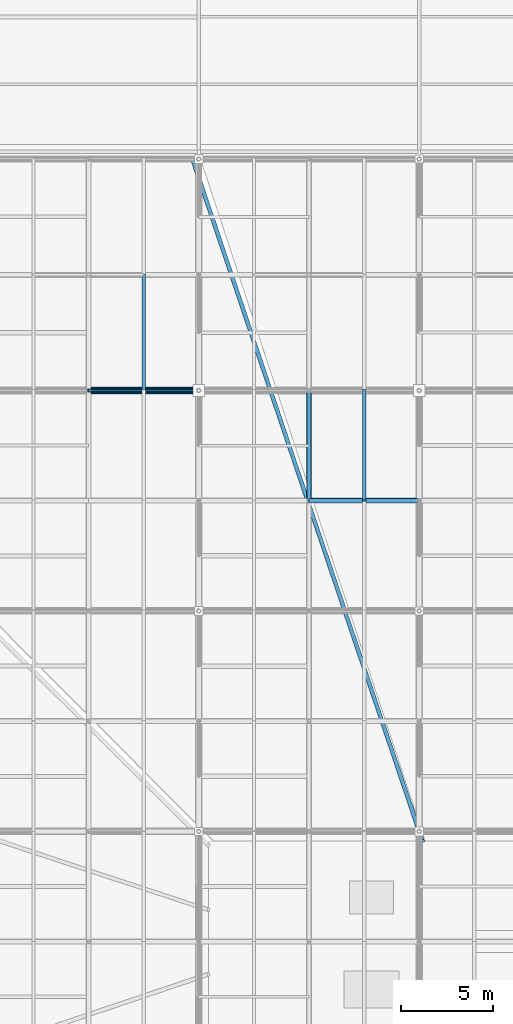
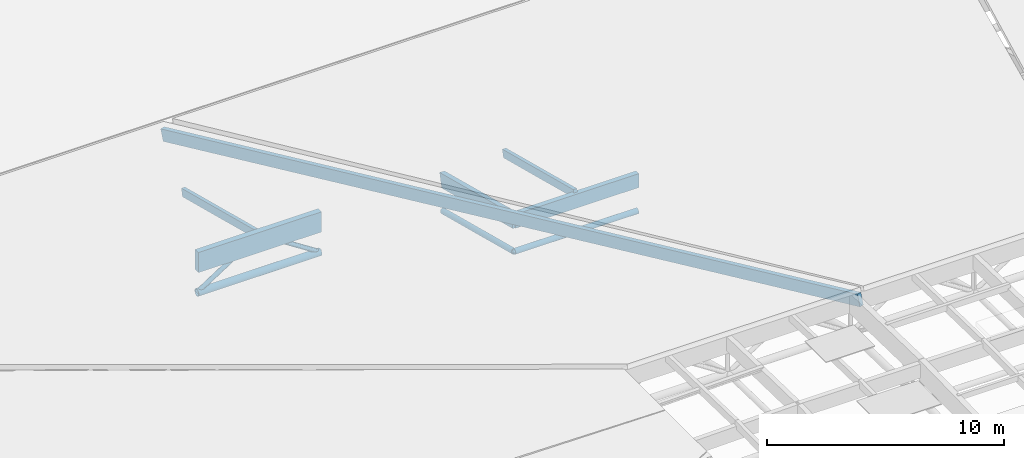
# One storey, part 54 of 80: 11 members.
"""IFC4 building model written with IfcOpenShell, lengths in metres."""

from ifc_helpers import new_model, si_unit, direction, frame, origin, origin_2d, place, context, subcontext, project, spatial, rectangle, hollow_circle, extrude, material, material_profile, profile_set, type_object, element, save


model = new_model("IFC4")

# Units and contexts
model_context = context("Model", 3, precision=1e-05, world=origin(), true_north=direction((0.0, 1.0)))
body_context = subcontext(model_context, "Body", "Model", "MODEL_VIEW")
ifc_project = project(units=[si_unit("LENGTHUNIT", "METRE"), si_unit("AREAUNIT", "SQUARE_METRE"), si_unit("VOLUMEUNIT", "CUBIC_METRE"), si_unit("PLANEANGLEUNIT", "RADIAN"), si_unit("MASSUNIT", "GRAM", prefix="KILO"), si_unit("THERMODYNAMICTEMPERATUREUNIT", "KELVIN"), si_unit("POWERUNIT", "WATT")], contexts=[model_context])

# Site, building, storey
site_placement = place(None, origin())
site = spatial("IfcSite", under=ifc_project, at=site_placement, CompositionType="ELEMENT")
building_placement = place(site_placement, origin())
building = spatial("IfcBuilding", under=site, at=building_placement, Name="Solmara Park Aquatics Centre", CompositionType="ELEMENT")
storey_placement = place(building_placement, frame((0.0, 0.0, 22.800048828125)))
storey = spatial("IfcBuildingStorey", under=building, at=storey_placement, Name="RF", CompositionType="ELEMENT", Elevation=22.800048828125)

# Members
ifc_material_1 = material(Name="Structural Steel S355", Category="steel")
ifc_material_profile_1 = material_profile(ifc_material_1, hollow_circle(Radius=0.109619140625, WallThickness=0.010009765625, at=origin_2d()), Name="CHS 219.1x10")
ifc_profile_set_1 = profile_set([ifc_material_profile_1], Name="Structural Steel S355")
member_type_1 = type_object("IfcMemberType", Name="STR-BRC-CHS219", PredefinedType="BRACE", material=ifc_profile_set_1)
for number, where, z_axis, x_axis, name in (
    (1, (30.60009765625, 72.60009765625, -11.141357421875), (0.83972779743, 0.0, 0.543007574738), (0.0, 1.0, 0.0), "Roof Truss Web Diagonal X 1499"),
    (2, (36.60009765625, 72.60009765625, -11.141357421875), (-0.83972779743, 0.0, 0.543007574738), (0.0, -1.0, 0.0), "Roof Truss Web Diagonal X 1500"),
):
    element("IfcMember", number, at=place(storey_placement, frame(where, z_axis=z_axis, x_axis=x_axis)), inside=storey, type_object=member_type_1, Name=name, PredefinedType="BRACE", context=body_context, shape_type="SweptSolid", body=[
        extrude(hollow_circle(Radius=0.109619140625, WallThickness=0.010009765625, at=origin_2d()), origin(), (0.0, 0.0, 1.0), 3.572509765625),
    ])
ifc_material_profile_2 = material_profile(ifc_material_1, hollow_circle(Radius=0.136474609375, WallThickness=0.012451171875, at=origin_2d()), Name="CHS 273x12.5")
ifc_profile_set_2 = profile_set([ifc_material_profile_2], Name="Structural Steel S355")
member_type_2 = type_object("IfcMemberType", Name="STR-CHD-CHS273", PredefinedType="CHORD", material=ifc_profile_set_2)
member_1_placement = place(storey_placement, frame((42.60009765625, 66.60009765625, -9.58984375), z_axis=(1.0, 0.0, 0.0), x_axis=(0.0, 1.0, 0.0)))
element("IfcMember", 3, at=member_1_placement, inside=storey, type_object=member_type_2, Name="Steel Roof Truss Bottom Chord X 0412", PredefinedType="CHORD", context=body_context, shape_type="SweptSolid", body=[
    extrude(hollow_circle(Radius=0.136474609375, WallThickness=0.012451171875, at=origin_2d()), origin(), (0.0, 0.0, 1.0), 6.0),
])
member_2_placement = place(storey_placement, frame((42.60009765625, 66.60009765625, -9.58984375), z_axis=(0.0, 0.968155143395, -0.250350990246), x_axis=(-1.0, 0.0, 0.0)))
element("IfcMember", 4, at=member_2_placement, inside=storey, type_object=member_type_2, Name="Steel Roof Truss Bottom Chord Y 0760", PredefinedType="CHORD", context=body_context, shape_type="SweptSolid", body=[
    extrude(hollow_circle(Radius=0.136474609375, WallThickness=0.012451171875, at=origin_2d()), origin(), (0.0, 0.0, 1.0), 6.197265625),
])
ifc_material_profile_3 = material_profile(ifc_material_1, hollow_circle(Radius=0.177734375, WallThickness=0.01611328125, at=origin_2d()), Name="CHS 355.6x16")
ifc_profile_set_3 = profile_set([ifc_material_profile_3], Name="Structural Steel S355")
member_type_3 = type_object("IfcMemberType", Name="STR-CHD-CHS355", PredefinedType="CHORD", material=ifc_profile_set_3)
member_3_placement = place(storey_placement, frame((30.60009765625, 72.60009765625, -11.141357421875), z_axis=(1.0, 0.0, 0.0), x_axis=(0.0, 1.0, 0.0)))
element("IfcMember", 5, at=member_3_placement, inside=storey, type_object=member_type_3, Name="Steel Roof Truss Bottom Chord X 0444", PredefinedType="CHORD", context=body_context, shape_type="SweptSolid", body=[
    extrude(hollow_circle(Radius=0.177734375, WallThickness=0.01611328125, at=origin_2d()), origin(), (0.0, 0.0, 1.0), 6.0),
])
ifc_material_2 = material(Name="Glulam Timber GL28h", Category="wood")
ifc_material_profile_4 = material_profile(ifc_material_2, rectangle(XDim=0.239990234375, YDim=0.719970703125, at=origin_2d()), Name="GL28h 240x720")
ifc_profile_set_4 = profile_set([ifc_material_profile_4], Name="Glulam Timber GL28h")
member_type_4 = type_object("IfcMemberType", Name="STR-CHD-GL240x720", PredefinedType="CHORD", material=ifc_profile_set_4)
member_4_placement = place(storey_placement, frame((42.60009765625, 66.60009765625, -7.9697265625), z_axis=(1.0, 0.0, 0.0), x_axis=(0.0, 1.0, 0.0)))
element("IfcMember", 6, at=member_4_placement, inside=storey, type_object=member_type_4, Name="Glulam Roof Truss Top Chord X 0411", PredefinedType="CHORD", context=body_context, shape_type="SweptSolid", body=[
    extrude(rectangle(XDim=0.239990234375, YDim=0.719970703125, at=origin_2d()), origin(), (0.0, 0.0, 1.0), 6.0),
])
member_5_placement = place(storey_placement, frame((42.60009765625, 66.60009765625, -7.9697265625), z_axis=(0.0, 0.968145594442, -0.250387914969), x_axis=(-1.0, 0.0, 0.0)))
element("IfcMember", 7, at=member_5_placement, inside=storey, type_object=member_type_4, Name="Glulam Roof Truss Top Chord Y 0759", PredefinedType="CHORD", context=body_context, shape_type="SweptSolid", body=[
    extrude(rectangle(XDim=0.239990234375, YDim=0.719970703125, at=origin_2d()), origin(), (0.0, 0.0, 1.0), 6.197509765625),
])
ifc_material_profile_5 = material_profile(ifc_material_2, rectangle(XDim=0.280029296875, YDim=1.0400390625, at=origin_2d()), Name="GL28h 280x1040")
ifc_profile_set_5 = profile_set([ifc_material_profile_5], Name="Glulam Timber GL28h")
member_type_5 = type_object("IfcMemberType", Name="STR-CHD-GL280x1040", PredefinedType="CHORD", material=ifc_profile_set_5)
member_6_placement = place(storey_placement, frame((30.60009765625, 72.60009765625, -9.521484375), z_axis=(1.0, 0.0, 0.0), x_axis=(0.0, 1.0, 0.0)))
element("IfcMember", 8, at=member_6_placement, inside=storey, type_object=member_type_5, Name="Glulam Roof Truss Top Chord X 0443", PredefinedType="CHORD", context=body_context, shape_type="SweptSolid", body=[
    extrude(rectangle(XDim=0.280029296875, YDim=1.0400390625, at=origin_2d()), origin(), (0.0, 0.0, 1.0), 6.0),
])
ifc_material_profile_6 = material_profile(ifc_material_2, rectangle(XDim=0.179931640625, YDim=0.39990234375, at=origin_2d()), Name="GL28h 180x400")
ifc_profile_set_6 = profile_set([ifc_material_profile_6], Name="Glulam Timber GL28h")
member_type_6 = type_object("IfcMemberType", Name="STR-PRL-GL180x400", PredefinedType="PURLIN", material=ifc_profile_set_6)
member_7_placement = place(storey_placement, frame((33.60009765625, 72.60009765625, -9.201416015625), z_axis=(0.0, 0.968141893543, -0.250402224365), x_axis=(-1.0, 0.0, 0.0)))
element("IfcMember", 9, at=member_7_placement, inside=storey, type_object=member_type_6, Name="Glulam Roof Purlin 1487", PredefinedType="PURLIN", context=body_context, shape_type="SweptSolid", body=[
    extrude(rectangle(XDim=0.179931640625, YDim=0.39990234375, at=origin_2d()), origin(), (0.0, 0.0, 1.0), 6.507080078125),
])
member_8_placement = place(storey_placement, frame((45.60009765625, 66.60009765625, -7.649658203125), z_axis=(0.0, 0.968145594442, -0.250387914969), x_axis=(-1.0, 0.0, 0.0)))
element("IfcMember", 10, at=member_8_placement, inside=storey, type_object=member_type_6, Name="Glulam Roof Purlin 1544", PredefinedType="PURLIN", context=body_context, shape_type="SweptSolid", body=[
    extrude(rectangle(XDim=0.179931640625, YDim=0.39990234375, at=origin_2d()), origin(), (0.0, 0.0, 1.0), 6.197509765625),
])
ifc_material_profile_7 = material_profile(ifc_material_2, rectangle(XDim=0.219970703125, YDim=0.60009765625, at=origin_2d()), Name="GL28h 220x600")
ifc_profile_set_7 = profile_set([ifc_material_profile_7], Name="Glulam Timber GL28h")
member_type_7 = type_object("IfcMemberType", Name="STR-RFT-GL220x600", PredefinedType="RAFTER", material=ifc_profile_set_7)
member_9_placement = place(storey_placement, frame((36.255859375, 85.199951171875, -12.60009765625), z_axis=(0.31045009074, -0.920309679392, 0.238014359182), x_axis=(0.947540441878, 0.319635903813, 0.0)))
element("IfcMember", 11, at=member_9_placement, inside=storey, type_object=member_type_7, Name="Glulam Hip Jack Rafter NORTH-3", PredefinedType="RAFTER", context=body_context, shape_type="SweptSolid", body=[
    extrude(rectangle(XDim=0.219970703125, YDim=0.60009765625, at=origin_2d()), origin(), (0.0, 0.0, 1.0), 40.334228515625),
])

save(model, "model.ifc")
